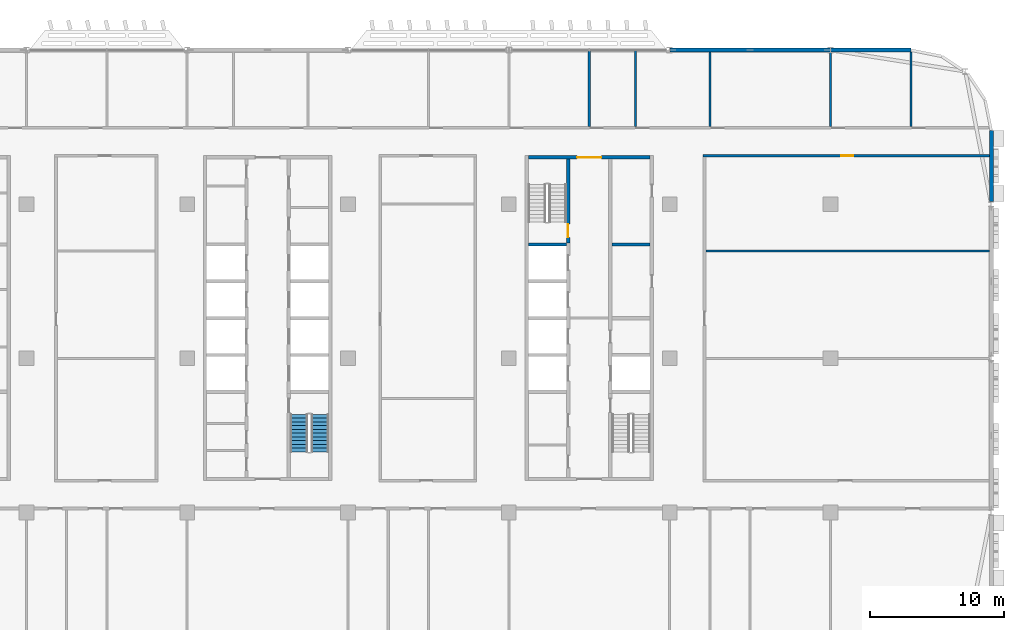
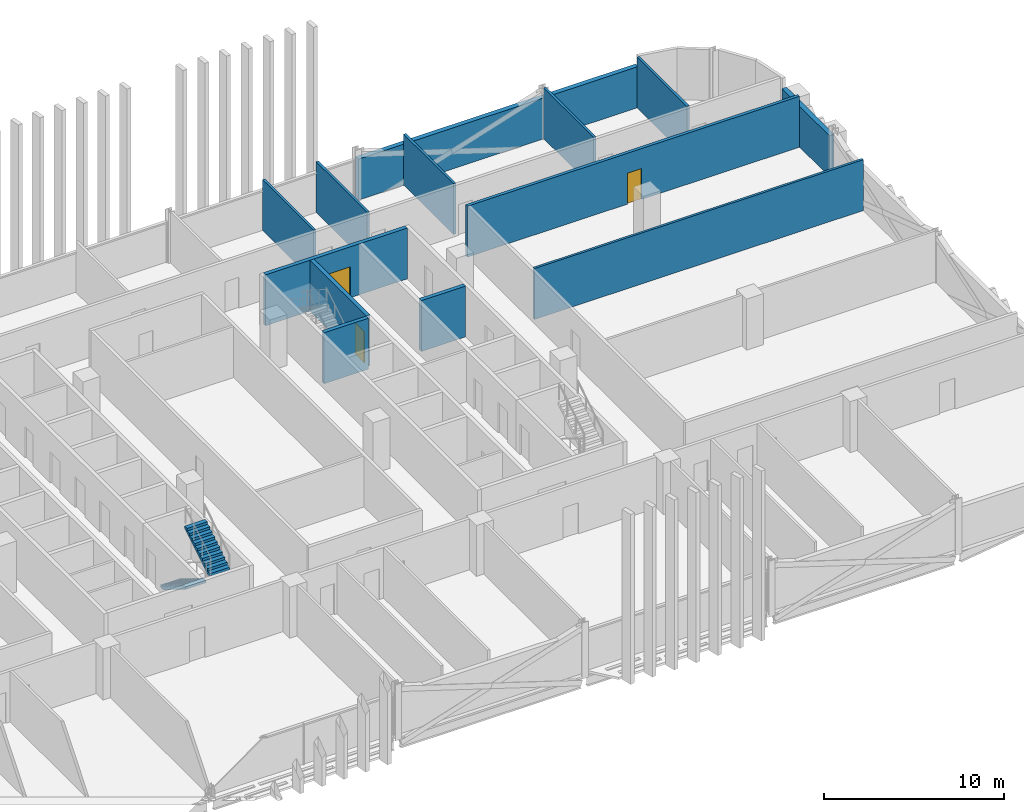
# One storey, part 18 of 30: 14 walls, 3 doors, 2 stair flights, 3 openings, 1 element without a shape of its own.
"""IFC4 building model written with IfcOpenShell, lengths in metres."""

import ifcopenshell
import ifcopenshell.guid

model = None  # the IFC model being written
_history = None  # IfcOwnerHistory: only IFC2X3 demands one
_inside = {}  # id of a spatial element -> (the spatial element, [elements in it])
_under = {}  # id of a project, library or spatial element -> (it, [spatial elements below it])
_declared = {}  # id of a project -> (the project, [libraries it declares])
_typed = {}  # id of a type object -> (the type object, [elements of that type])
_made_of = {}  # id of a material, layer set ... -> (it, [elements and type objects made of it])


def new_model(schema):
    """Start an empty IFC model of exactly this schema.

    Asked for "IFC4X3", IfcOpenShell would pick the latest addendum, in which some entities
    have other attributes; the version numbers below select the first issue.
    IFC2X3 requires an IfcOwnerHistory on every rooted entity: one is made here for all.
    """
    global model, _history
    if schema == "IFC4X3":
        model = ifcopenshell.file(schema_version=(4, 3, 0, 0))
    else:
        model = ifcopenshell.file(schema=schema)
    _inside.clear()
    _under.clear()
    _declared.clear()
    _typed.clear()
    _made_of.clear()
    _history = None
    if model.schema == "IFC2X3":
        org = make("IfcOrganization", Name="unknown")
        user = make(
            "IfcPersonAndOrganization",
            ThePerson=make("IfcPerson", FamilyName="unknown"),
            TheOrganization=org,
        )
        app = make(
            "IfcApplication",
            ApplicationDeveloper=org,
            Version="unknown",
            ApplicationFullName="unknown",
            ApplicationIdentifier="unknown",
        )
        _history = make(
            "IfcOwnerHistory",
            OwningUser=user,
            OwningApplication=app,
            ChangeAction="ADDED",
            CreationDate=0,
        )
    return model


def make(cls, **values):
    """One entity of the class cls with the attributes given. An attribute that is None is left unset."""
    return model.create_entity(
        cls, **{name: value for name, value in values.items() if value is not None}
    )


def rooted(cls, **values):
    """An entity with a GlobalId (a new one), such as an element, a storey or a relation."""
    return make(cls, GlobalId=ifcopenshell.guid.new(), OwnerHistory=_history, **values)


def si_unit(unit_type, name, prefix=None):
    """IfcSIUnit, for example si_unit("LENGTHUNIT", "METRE", prefix="MILLI")."""
    return make("IfcSIUnit", UnitType=unit_type, Prefix=prefix, Name=name)


def assignment(units):
    """IfcUnitAssignment: the units of a project."""
    return None if units is None else make("IfcUnitAssignment", Units=units)


def point(xyz):
    """IfcCartesianPoint."""
    return None if xyz is None else make("IfcCartesianPoint", Coordinates=xyz)


def direction(xyz):
    """IfcDirection."""
    return None if xyz is None else make("IfcDirection", DirectionRatios=xyz)


def frame(location, z_axis=None, x_axis=None):
    """IfcAxis2Placement3D, a coordinate frame: its origin and axes. An axis left out is left unset."""
    return make(
        "IfcAxis2Placement3D",
        Location=point(location),
        Axis=direction(z_axis),
        RefDirection=direction(x_axis),
    )


def frame_2d(location, x_axis=None):
    """IfcAxis2Placement2D, a coordinate frame in the plane: its origin and x axis."""
    return make(
        "IfcAxis2Placement2D", Location=point(location), RefDirection=direction(x_axis)
    )


def origin():
    """The frame at (0, 0, 0) with its axes left unset."""
    return frame((0.0, 0.0, 0.0))


def place(relative_to, where):
    """IfcLocalPlacement: puts the frame where relative to a parent placement (None: the world)."""
    return make(
        "IfcLocalPlacement", PlacementRelTo=relative_to, RelativePlacement=where
    )


def context(
    kind, dimensions, precision=None, world=None, true_north=None, identifier=None
):
    """IfcGeometricRepresentationContext, for example the 3D "Model" context."""
    return make(
        "IfcGeometricRepresentationContext",
        ContextIdentifier=identifier,
        ContextType=kind,
        CoordinateSpaceDimension=dimensions,
        Precision=precision,
        WorldCoordinateSystem=world,
        TrueNorth=true_north,
    )


def subcontext(parent, identifier, kind, view, scale=None):
    """IfcGeometricRepresentationSubContext, for example "Body" below "Model"."""
    return make(
        "IfcGeometricRepresentationSubContext",
        ContextIdentifier=identifier,
        ContextType=kind,
        ParentContext=parent,
        TargetScale=scale,
        TargetView=view,
    )


def project(units=None, contexts=None):
    """IfcProject with its units and contexts."""
    return rooted(
        "IfcProject",
        Name="project",
        RepresentationContexts=contexts,
        UnitsInContext=assignment(units),
    )


def spatial(cls, under=None, at=None, **own):
    """A site, building, storey or space (cls), placed at a placement, below another one or the project."""
    s = rooted(cls, ObjectPlacement=at, **own)
    if under is not None:
        _under.setdefault(under.id(), (under, []))[1].append(s)
    return s


def polyline(points):
    """IfcPolyline through the points."""
    return make("IfcPolyline", Points=[point(p) for p in points])


def profile(cls, at=None, kind="AREA", **sizes):
    """A parametric profile (cls). Its sizes go by their IFC names, for example OverallWidth=200.0."""
    return make(cls, ProfileType=kind, Position=at, **sizes)


def rectangle(**sizes):
    """IfcRectangleProfileDef."""
    return profile("IfcRectangleProfileDef", **sizes)


def outline(outer, holes=None, kind="AREA"):
    """IfcArbitraryClosedProfileDef: a profile drawn as a closed curve; with holes, ...WithVoids."""
    if holes is None:
        return make("IfcArbitraryClosedProfileDef", ProfileType=kind, OuterCurve=outer)
    return make(
        "IfcArbitraryProfileDefWithVoids",
        ProfileType=kind,
        OuterCurve=outer,
        InnerCurves=holes,
    )


def extrude(swept, where, along, depth):
    """IfcExtrudedAreaSolid: the profile swept, set in the frame where, extruded along a direction by depth."""
    return make(
        "IfcExtrudedAreaSolid",
        SweptArea=swept,
        Position=where,
        ExtrudedDirection=direction(along),
        Depth=depth,
    )


def shape(context_of_items, identifier, shape_type, items):
    """IfcShapeRepresentation: the items that make up one representation, for example the "Body"."""
    return make(
        "IfcShapeRepresentation",
        ContextOfItems=context_of_items,
        RepresentationIdentifier=identifier,
        RepresentationType=shape_type,
        Items=items,
    )


def material(Name=None, Category=None):
    """IfcMaterial."""
    return make("IfcMaterial", Name=Name, Category=Category)


def layer(
    of_material, thickness, ventilated=None, Name=None, Category=None, Priority=None
):
    """IfcMaterialLayer: one layer of a wall or slab, of a material (None: an air gap)."""
    return make(
        "IfcMaterialLayer",
        Material=of_material,
        LayerThickness=thickness,
        IsVentilated=ventilated,
        Name=Name,
        Category=Category,
        Priority=Priority,
    )


def layer_set(layers, Name=None):
    """IfcMaterialLayerSet."""
    return make("IfcMaterialLayerSet", MaterialLayers=layers, LayerSetName=Name)


def made_of(thing, what):
    """Note that an element or type object is made of a material, layer set ...; save() writes the relation."""
    if what is not None:
        _made_of.setdefault(what.id(), (what, []))[1].append(thing)
    return thing


def type_object(cls, material=None, **own):
    """A type object (cls), such as IfcWallType, which elements share."""
    return made_of(rooted(cls, **own), material)


def element(
    cls,
    number,
    at=None,
    inside=None,
    cuts=None,
    type_object=None,
    material=None,
    context=None,
    identifier="Body",
    shape_type=None,
    held_by="IfcProductDefinitionShape",
    body=None,
    shapes=None,
    **own,
):
    """One element of the class cls, such as IfcWall. Its Tag is "e" and its number.

    at: its placement. inside: the storey or other place that contains it. cuts: it is an
    opening in that element (IfcRelVoidsElement). A single representation is given by context,
    identifier, shape_type and body (its items); several are given by shapes. held_by: the class
    of the entity that holds the representations. save() writes the other relations.
    """
    e = rooted(cls, Tag="e%d" % number, ObjectPlacement=at, **own)
    if body is not None:
        shapes = [shape(context, identifier, shape_type, body)]
    if shapes is not None:
        e.Representation = make(held_by, Representations=shapes)
    if inside is not None:
        _inside.setdefault(inside.id(), (inside, []))[1].append(e)
    if cuts is not None:
        rooted(
            "IfcRelVoidsElement", RelatingBuildingElement=cuts, RelatedOpeningElement=e
        )
    if type_object is not None:
        _typed.setdefault(type_object.id(), (type_object, []))[1].append(e)
    return made_of(e, material)


def fill(opening, filler):
    """IfcRelFillsElement: the door or window that sits in an opening."""
    return rooted(
        "IfcRelFillsElement",
        RelatingOpeningElement=opening,
        RelatedBuildingElement=filler,
    )


def aggregate(whole, parts):
    """IfcRelAggregates: a whole, such as a stair, and the parts it consists of."""
    return rooted("IfcRelAggregates", RelatingObject=whole, RelatedObjects=parts)


def save(model, path):
    """Write the relations noted so far, then the file.

    IfcRelAggregates (storeys below a building ...), IfcRelContainedInSpatialStructure (elements
    in a storey), IfcRelDefinesByType, IfcRelAssociatesMaterial and IfcRelDeclares: one each for
    every whole, place, type object, material and project.
    """
    for whole, parts in _under.values():
        aggregate(whole, parts)
    for where, things in _inside.values():
        rooted(
            "IfcRelContainedInSpatialStructure",
            RelatedElements=things,
            RelatingStructure=where,
        )
    for kind, things in _typed.values():
        rooted("IfcRelDefinesByType", RelatedObjects=things, RelatingType=kind)
    for what, things in _made_of.values():
        rooted("IfcRelAssociatesMaterial", RelatedObjects=things, RelatingMaterial=what)
    for by, libraries in _declared.values():
        rooted("IfcRelDeclares", RelatingContext=by, RelatedDefinitions=libraries)
    model.write(path)


model = new_model("IFC4")

# Units and contexts
model_context = context("Model", 3, precision=1e-05, world=origin(), true_north=direction((0.0, 1.0)))
body_context = subcontext(model_context, "Body", "Model", "MODEL_VIEW")
ifc_project = project(units=[si_unit("LENGTHUNIT", "METRE"), si_unit("AREAUNIT", "SQUARE_METRE"), si_unit("VOLUMEUNIT", "CUBIC_METRE"), si_unit("PLANEANGLEUNIT", "RADIAN"), si_unit("MASSUNIT", "GRAM", prefix="KILO")], contexts=[model_context])

# Site, building, storey
site_placement = place(None, origin())
site = spatial("IfcSite", under=ifc_project, at=site_placement, CompositionType="ELEMENT")
building_placement = place(site_placement, origin())
building = spatial("IfcBuilding", under=site, at=building_placement, Name="Mahtab Terrace Research Tower", CompositionType="ELEMENT")
storey_placement = place(building_placement, frame((0.0, 0.0, 209.10009765625)))
storey = spatial("IfcBuildingStorey", under=building, at=storey_placement, Name="L50", CompositionType="ELEMENT", Elevation=209.10009765625)

# Wall, opening, door
ifc_material_1 = material(Name="Concrete C70/85", Category="concrete")
ifc_layer_1 = layer(ifc_material_1, 0.25)
ifc_layer_set_1 = layer_set([ifc_layer_1], Name="Core wall 250")
wall_type_1 = type_object("IfcWallType", Name="Core wall 250", PredefinedType="SOLIDWALL", material=ifc_layer_set_1)
wall_1_placement = place(storey_placement, frame((19.449951171875, 15.0, 0.0), z_axis=(0.0, 0.0, 1.0), x_axis=(1.0, 0.0, 0.0)))
wall_1 = element("IfcWall", 1, at=wall_1_placement, inside=storey, type_object=wall_type_1, Name="Core wall C endN", PredefinedType="SOLIDWALL", context=body_context, shape_type="SweptSolid", body=[
    extrude(rectangle(XDim=9.10009765625, YDim=0.25, at=frame_2d((4.550048828125, 0.0))), origin(), (0.0, 0.0, 1.0), 3.4599609375),
])
opening_1_placement = place(wall_1_placement, frame((3.64990234375, 0.0, 0.0)))
opening_1 = element("IfcOpeningElement", 2, at=opening_1_placement, cuts=wall_1, Name="Opening C-N1", PredefinedType="OPENING", context=body_context, shape_type="SweptSolid", body=[
    extrude(rectangle(XDim=1.800048828125, YDim=2.10009765625, at=frame_2d((0.89990234375, 1.050048828125))), frame((0.0, 0.135009765625, 0.0), z_axis=(0.0, -1.0, 0.0), x_axis=(1.0, 0.0, 0.0)), (0.0, 0.0, 1.0), 0.27001953125),
])
ifc_material_2 = material(Name="Steel fire door", Category="steel")
door_type_1 = type_object("IfcDoorType", Name="Lobby double door 1800x2100 1 HR", OperationType="DOUBLE_DOOR_SINGLE_SWING", PredefinedType="DOOR", material=ifc_material_2)
door_1_placement = place(opening_1_placement, origin())
door_1 = element("IfcDoor", 3, at=door_1_placement, inside=storey, type_object=door_type_1, Name="Core entrance door C N", OperationType="DOUBLE_DOOR_SINGLE_SWING", OverallHeight=2.10009765625, OverallWidth=1.800048828125, PredefinedType="DOOR", context=body_context, shape_type="SweptSolid", body=[
    extrude(rectangle(XDim=1.800048828125, YDim=2.10009765625, at=frame_2d((0.89990234375, 1.050048828125))), frame((0.0, 0.02490234375, 0.0), z_axis=(0.0, -1.0, 0.0), x_axis=(1.0, 0.0, 0.0)), (0.0, 0.0, 1.0), 0.050048828125),
])
fill(opening_1, door_1)

wall_2_placement = place(storey_placement, frame((22.425048828125, 14.875, 0.0), z_axis=(0.0, 0.0, 1.0), x_axis=(0.0, -1.0, 0.0)))
wall_2 = element("IfcWall", 4, at=wall_2_placement, inside=storey, type_object=wall_type_1, Name="Core wall C innerWN", PredefinedType="SOLIDWALL", context=body_context, shape_type="SweptSolid", body=[
    extrude(rectangle(XDim=6.25, YDim=0.25, at=frame_2d((3.125, 0.0))), origin(), (0.0, 0.0, 1.0), 3.4599609375),
])
opening_2_placement = place(wall_2_placement, frame((4.85009765625, 0.0, 0.0)))
opening_2 = element("IfcOpeningElement", 5, at=opening_2_placement, cuts=wall_2, Name="Opening C-ST3", PredefinedType="OPENING", context=body_context, shape_type="SweptSolid", body=[
    extrude(rectangle(XDim=1.0, YDim=2.10009765625, at=frame_2d((0.5, 1.050048828125))), frame((0.0, 0.135009765625, 0.0), z_axis=(0.0, -1.0, 0.0), x_axis=(1.0, 0.0, 0.0)), (0.0, 0.0, 1.0), 0.27001953125),
])
door_type_2 = type_object("IfcDoorType", Name="Stair door 1000x2100 1.5 HR", OperationType="NOTDEFINED", PredefinedType="DOOR", material=ifc_material_2)
door_2_placement = place(opening_2_placement, origin())
door_2 = element("IfcDoor", 6, at=door_2_placement, inside=storey, type_object=door_type_2, Name="Stair door ST3 L50", OperationType="SINGLE_SWING_RIGHT", OverallHeight=2.10009765625, OverallWidth=1.0, PredefinedType="DOOR", context=body_context, shape_type="SweptSolid", body=[
    extrude(rectangle(XDim=1.0, YDim=2.10009765625, at=frame_2d((0.5, 1.050048828125))), frame((0.0, 0.02490234375, 0.0), z_axis=(0.0, -1.0, 0.0), x_axis=(1.0, 0.0, 0.0)), (0.0, 0.0, 1.0), 0.050048828125),
])
fill(opening_2, door_2)

# Walls
for number, where, z_axis, x_axis, name in (
    (7, (19.449951171875, 8.5, 0.0), (0.0, 0.0, 1.0), (1.0, 0.0, 0.0), "Core wall C divW4"),
    (8, (25.699951171875, 8.5, 0.0), (0.0, 0.0, 1.0), (1.0, 0.0, 0.0), "Core wall C divE4"),
):
    element("IfcWall", number, at=place(storey_placement, frame(where, z_axis=z_axis, x_axis=x_axis)), inside=storey, type_object=wall_type_1, Name=name, PredefinedType="SOLIDWALL", context=body_context, shape_type="SweptSolid", body=[
        extrude(rectangle(XDim=2.85009765625, YDim=0.25, at=frame_2d((1.425048828125, 0.0))), origin(), (0.0, 0.0, 1.0), 3.4599609375),
    ])
ifc_material_3 = material(Name="Black aluminium cladding panel", Category="aluminium")
ifc_layer_2 = layer(ifc_material_3, 0.300048828125)
ifc_layer_set_2 = layer_set([ifc_layer_2], Name="Opaque facade wall 300")
wall_type_2 = type_object("IfcWallType", Name="Opaque facade wall 300", PredefinedType="NOTDEFINED", material=ifc_layer_set_2)
wall_3_placement = place(storey_placement, frame((48.0, 23.0, 0.0), z_axis=(0.0, 0.0, 1.0), x_axis=(-1.0, 0.0, 0.0)))
element("IfcWall", 9, at=wall_3_placement, inside=storey, type_object=wall_type_2, Name="Opaque facade wall L50 N3", PredefinedType="NOTDEFINED", context=body_context, shape_type="SweptSolid", body=[
    extrude(rectangle(XDim=5.987548828125, YDim=0.300048828125, at=frame_2d((2.99365234375, 0.0))), origin(), (0.0, 0.0, 1.0), 2.78173828125),
])
wall_4_placement = place(storey_placement, frame((41.987548828125, 23.0, 0.0), z_axis=(0.0, 0.0, 1.0), x_axis=(-1.0, 0.0, 0.0)))
element("IfcWall", 10, at=wall_4_placement, inside=storey, type_object=wall_type_2, Name="Opaque facade wall L50 N4", PredefinedType="NOTDEFINED", context=body_context, shape_type="SweptSolid", body=[
    extrude(rectangle(XDim=11.97509765625, YDim=0.300048828125, at=frame_2d((5.987548828125, 0.0))), origin(), (0.0, 0.0, 1.0), 2.78173828125),
])
wall_5_placement = place(storey_placement, frame((54.0, 11.699951171875, 0.0), z_axis=(0.0, 0.0, 1.0), x_axis=(0.0, 1.0, 0.0)))
element("IfcWall", 11, at=wall_5_placement, inside=storey, type_object=wall_type_2, Name="Opaque facade wall L50 E38", PredefinedType="NOTDEFINED", context=body_context, shape_type="SweptSolid", body=[
    extrude(rectangle(XDim=5.300048828125, YDim=0.300048828125, at=frame_2d((2.64990234375, 0.0))), origin(), (0.0, 0.0, 1.0), 2.78173828125),
])

# Wall, opening, door
ifc_material_4 = material(Name="Gypsum board corridor wall on steel studs", Category="steel")
ifc_layer_3 = layer(ifc_material_4, 0.199951171875)
ifc_layer_set_3 = layer_set([ifc_layer_3], Name="WALL CORRIDOR 200")
wall_type_3 = type_object("IfcWallType", Name="WALL CORRIDOR 200", PredefinedType="PARTITIONING", material=ifc_layer_set_3)
wall_6_placement = place(storey_placement, frame((32.5, 15.125, 0.0), z_axis=(0.0, 0.0, 1.0), x_axis=(1.0, 0.0, 0.0)))
wall_6 = element("IfcWall", 12, at=wall_6_placement, inside=storey, type_object=wall_type_3, Name="L50-W025", PredefinedType="PARTITIONING", context=body_context, shape_type="SweptSolid", body=[
    extrude(rectangle(XDim=21.35009765625, YDim=0.199951171875, at=frame_2d((10.675048828125, 0.0))), origin(), (0.0, 0.0, 1.0), 3.4599609375),
])
opening_3_placement = place(wall_6_placement, frame((10.300048828125, 0.0, 0.0)))
opening_3 = element("IfcOpeningElement", 13, at=opening_3_placement, cuts=wall_6, Name="Opening L50-125", PredefinedType="OPENING", context=body_context, shape_type="SweptSolid", body=[
    extrude(rectangle(XDim=0.89990234375, YDim=2.10009765625, at=frame_2d((0.449951171875, 1.050048828125))), frame((0.0, 0.10986328125, 0.0), z_axis=(0.0, -1.0, 0.0), x_axis=(1.0, 0.0, 0.0)), (0.0, 0.0, 1.0), 0.219970703125),
])
ifc_material_5 = material(Name="Timber door leaf in steel frame", Category="steel")
door_type_3 = type_object("IfcDoorType", Name="DOOR 0900X2100 FD30S", OperationType="SINGLE_SWING_LEFT", PredefinedType="DOOR", material=ifc_material_5)
door_3_placement = place(opening_3_placement, origin())
door_3 = element("IfcDoor", 14, at=door_3_placement, inside=storey, type_object=door_type_3, Name="Door L50-125", OperationType="SINGLE_SWING_LEFT", OverallHeight=2.10009765625, OverallWidth=0.89990234375, PredefinedType="DOOR", context=body_context, shape_type="SweptSolid", body=[
    extrude(rectangle(XDim=0.89990234375, YDim=2.10009765625, at=frame_2d((0.449951171875, 1.050048828125))), frame((0.0, 0.02490234375, 0.0), z_axis=(0.0, -1.0, 0.0), x_axis=(1.0, 0.0, 0.0)), (0.0, 0.0, 1.0), 0.050048828125),
])
fill(opening_3, door_3)

# Walls
ifc_material_6 = material(Name="Gypsum board partition on steel studs", Category="steel")
ifc_layer_4 = layer(ifc_material_6, 0.14990234375)
ifc_layer_set_4 = layer_set([ifc_layer_4], Name="WALL PARTITION 150")
wall_type_4 = type_object("IfcWallType", Name="WALL PARTITION 150", PredefinedType="PARTITIONING", material=ifc_layer_set_4)
wall_7_placement = place(storey_placement, frame((32.699951171875, 8.0, 0.0), z_axis=(0.0, 0.0, 1.0), x_axis=(1.0, 0.0, 0.0)))
element("IfcWall", 15, at=wall_7_placement, inside=storey, type_object=wall_type_4, Name="L50-W019", PredefinedType="PARTITIONING", context=body_context, shape_type="SweptSolid", body=[
    extrude(rectangle(XDim=21.150146484375, YDim=0.14990234375, at=frame_2d((10.5751953125, 0.0))), origin(), (0.0, 0.0, 1.0), 3.4599609375),
])
for number, where, z_axis, x_axis, name in (
    (16, (24.0, 17.300048828125, 0.0), (0.0, 0.0, 1.0), (0.0, 1.0, 0.0), "L50-W052"),
    (17, (27.449951171875, 17.300048828125, 0.0), (0.0, 0.0, 1.0), (0.0, 1.0, 0.0), "L50-W053"),
):
    element("IfcWall", number, at=place(storey_placement, frame(where, z_axis=z_axis, x_axis=x_axis)), inside=storey, type_object=wall_type_4, Name=name, PredefinedType="PARTITIONING", context=body_context, shape_type="SweptSolid", body=[
        extrude(rectangle(XDim=5.675048828125, YDim=0.14990234375, at=frame_2d((2.83740234375, 0.0))), origin(), (0.0, 0.0, 1.0), 3.4599609375),
    ])
for number, where, z_axis, x_axis, name in (
    (18, (33.0, 17.300048828125, 0.0), (0.0, 0.0, 1.0), (0.0, 1.0, 0.0), "L50-W057"),
    (19, (42.0, 17.300048828125, 0.0), (0.0, 0.0, 1.0), (0.0, 1.0, 0.0), "L50-W060"),
):
    element("IfcWall", number, at=place(storey_placement, frame(where, z_axis=z_axis, x_axis=x_axis)), inside=storey, type_object=wall_type_4, Name=name, PredefinedType="PARTITIONING", context=body_context, shape_type="SweptSolid", body=[
        extrude(rectangle(XDim=5.550048828125, YDim=0.14990234375, at=frame_2d((2.77490234375, 0.0))), origin(), (0.0, 0.0, 1.0), 3.4599609375),
    ])
wall_8_placement = place(storey_placement, frame((48.0, 17.300048828125, 0.0), z_axis=(0.0, 0.0, 1.0), x_axis=(0.0, 1.0, 0.0)))
element("IfcWall", 20, at=wall_8_placement, inside=storey, type_object=wall_type_4, Name="L50-W061", PredefinedType="PARTITIONING", context=body_context, shape_type="SweptSolid", body=[
    extrude(rectangle(XDim=5.547119140625, YDim=0.14990234375, at=frame_2d((2.7734375, 0.0))), origin(), (0.0, 0.0, 1.0), 3.4599609375),
])

# Stair, stair flights
ifc_material_7 = material(Name="Exit stair half-turn")
stair_type = type_object("IfcStairType", Name="Exit stair half-turn", PredefinedType="HALF_TURN_STAIR", material=ifc_material_7)
stair_placement = place(storey_placement, origin())
stair = element("IfcStair", 21, at=stair_placement, inside=storey, type_object=stair_type, Name="L50 Protected exit stair ST2", PredefinedType="HALF_TURN_STAIR")
ifc_material_8 = material(Name="Concrete C40/50", Category="concrete")
stair_flight_type = type_object("IfcStairFlightType", Name="Exit stair flight 1300", PredefinedType="STRAIGHT", material=ifc_material_8)
stair_flight_1_placement = place(storey_placement, frame((2.35009765625, -4.175048828125, 0.0), z_axis=(0.0, 0.0, 1.0), x_axis=(0.0, -1.0, 0.0)))
stair_flight_1 = element("IfcStairFlight", 22, at=stair_flight_1_placement, type_object=stair_flight_type, Name="ST2 flight 1", NumberOfRisers=11, NumberOfTreads=10, PredefinedType="STRAIGHT", RiserHeight=0.172727273, TreadLength=0.28, context=body_context, shape_type="SweptSolid", body=[
    extrude(outline(polyline([(0.0, 0.0), (0.0, 0.172607421875), (0.280029296875, 0.172607421875), (0.280029296875, 0.345458984375), (0.56005859375, 0.345458984375), (0.56005859375, 0.51806640625), (0.840087890625, 0.51806640625), (0.840087890625, 0.69091796875), (1.1201171875, 0.69091796875), (1.1201171875, 0.863525390625), (1.39990234375, 0.863525390625), (1.39990234375, 1.036376953125), (1.679931640625, 1.036376953125), (1.679931640625, 1.208984375), (1.9599609375, 1.208984375), (1.9599609375, 1.3818359375), (2.239990234375, 1.3818359375), (2.239990234375, 1.554443359375), (2.52001953125, 1.554443359375), (2.52001953125, 1.727294921875), (2.800048828125, 1.727294921875), (2.800048828125, 1.89990234375), (2.800048828125, 1.551025390625), (0.285400390625, 0.0), (0.0, 0.0)])), frame((0.0, 0.64990234375, 0.0), z_axis=(0.0, -1.0, 0.0), x_axis=(1.0, 0.0, 0.0)), (0.0, 0.0, 1.0), 1.300048828125),
])
stair_flight_2_placement = place(storey_placement, frame((3.89990234375, -6.97509765625, 1.89990234375), z_axis=(0.0, 0.0, 1.0), x_axis=(0.0, 1.0, 0.0)))
stair_flight_2 = element("IfcStairFlight", 23, at=stair_flight_2_placement, type_object=stair_flight_type, Name="ST2 flight 2", NumberOfRisers=11, NumberOfTreads=10, PredefinedType="STRAIGHT", RiserHeight=0.172727273, TreadLength=0.28, context=body_context, shape_type="SweptSolid", body=[
    extrude(outline(polyline([(0.0, 0.0), (0.0, 0.172607421875), (0.280029296875, 0.172607421875), (0.280029296875, 0.345458984375), (0.56005859375, 0.345458984375), (0.56005859375, 0.51806640625), (0.840087890625, 0.51806640625), (0.840087890625, 0.69091796875), (1.1201171875, 0.69091796875), (1.1201171875, 0.863525390625), (1.39990234375, 0.863525390625), (1.39990234375, 1.036376953125), (1.679931640625, 1.036376953125), (1.679931640625, 1.208984375), (1.9599609375, 1.208984375), (1.9599609375, 1.3818359375), (2.239990234375, 1.3818359375), (2.239990234375, 1.554443359375), (2.52001953125, 1.554443359375), (2.52001953125, 1.727294921875), (2.800048828125, 1.727294921875), (2.800048828125, 1.89990234375), (2.800048828125, 1.551025390625), (0.285400390625, 0.0), (0.0, 0.0)])), frame((0.0, 0.64990234375, 0.0), z_axis=(0.0, -1.0, 0.0), x_axis=(1.0, 0.0, 0.0)), (0.0, 0.0, 1.0), 1.300048828125),
])
aggregate(stair, [stair_flight_1, stair_flight_2])

save(model, "model.ifc")
